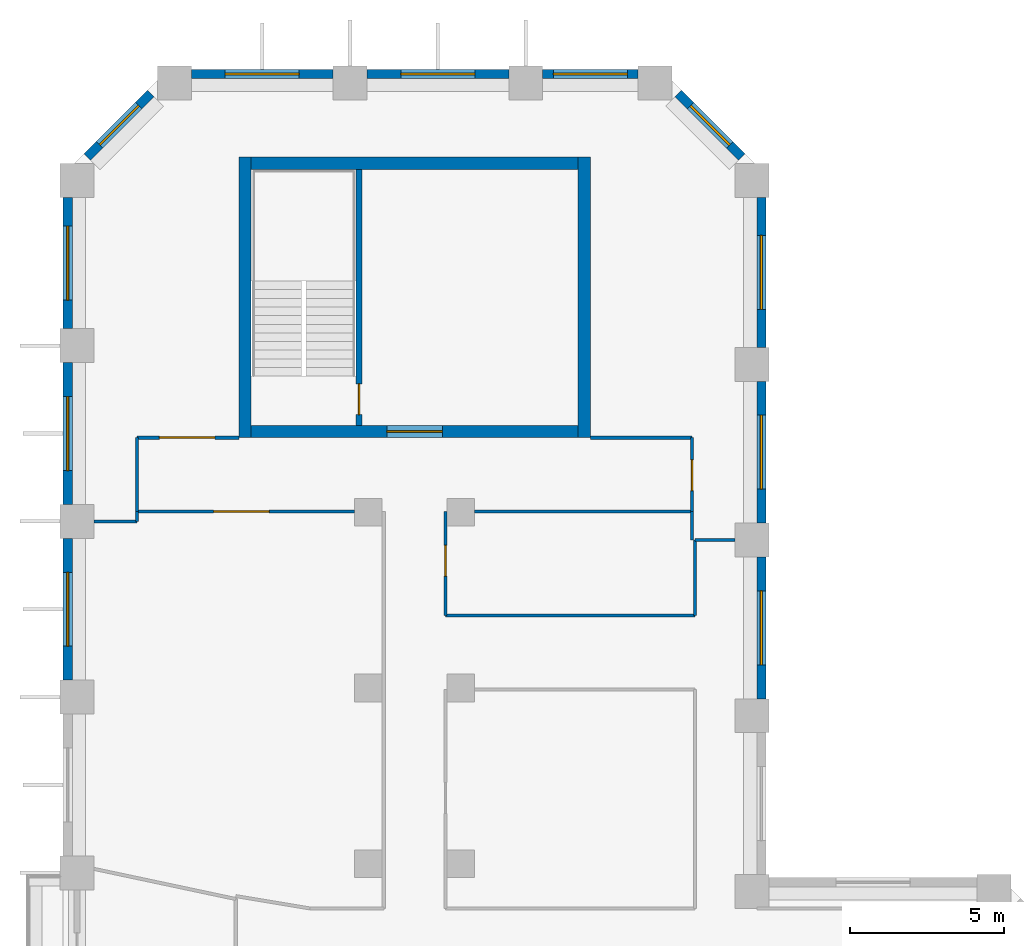
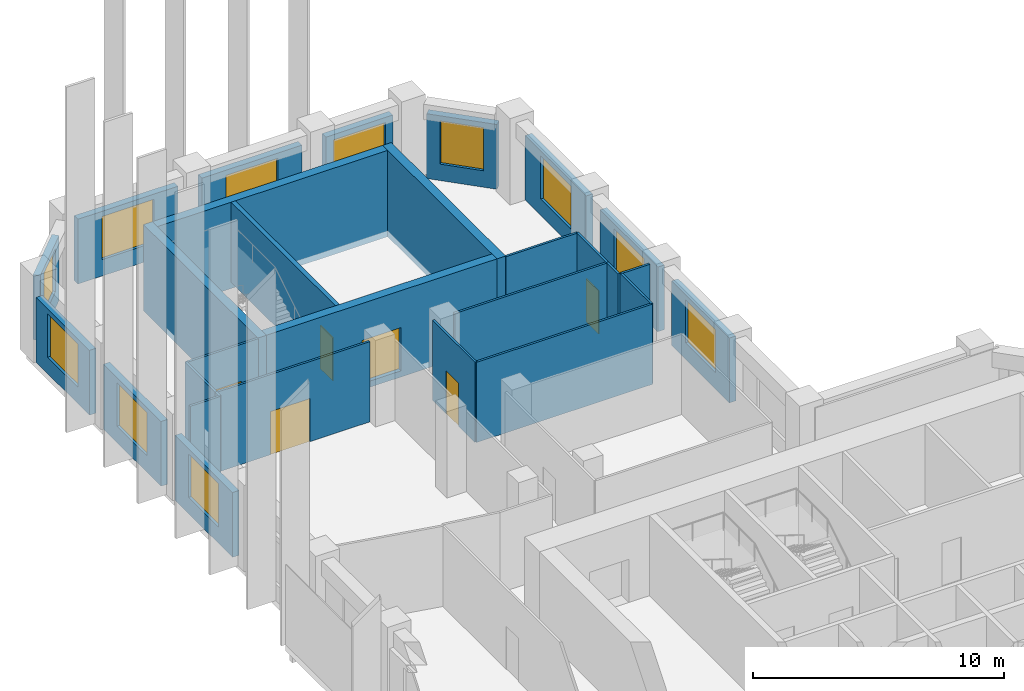
# One storey, part 8 of 10: 29 walls, 11 windows, 6 doors, 17 openings.
"""IFC4 building model written with IfcOpenShell, lengths in metres."""

from ifc_helpers import new_model, si_unit, direction, frame, frame_2d, origin, place, context, subcontext, project, spatial, rectangle, extrude, material, layer, layer_set, type_object, element, fill, save


model = new_model("IFC4")

# Units and contexts
model_context = context("Model", 3, precision=1e-05, world=origin(), true_north=direction((0.0, 1.0)))
body_context = subcontext(model_context, "Body", "Model", "MODEL_VIEW")
ifc_project = project(units=[si_unit("LENGTHUNIT", "METRE"), si_unit("AREAUNIT", "SQUARE_METRE"), si_unit("VOLUMEUNIT", "CUBIC_METRE"), si_unit("PLANEANGLEUNIT", "RADIAN"), si_unit("MASSUNIT", "GRAM", prefix="KILO")], contexts=[model_context])

# Site, building, storey
site_placement = place(None, origin())
site = spatial("IfcSite", under=ifc_project, at=site_placement, CompositionType="ELEMENT")
building_placement = place(site_placement, origin())
building = spatial("IfcBuilding", under=site, at=building_placement, Name="Meshkara Civic Tower", CompositionType="ELEMENT")
storey_placement = place(building_placement, frame((0.0, 0.0, 259.199951171875)))
storey = spatial("IfcBuildingStorey", under=building, at=storey_placement, Name="L59", CompositionType="ELEMENT", Elevation=259.199951171875)

# Wall, opening, door
ifc_material_1 = material(Name="Corridor wall 100")
ifc_layer_1 = layer(ifc_material_1, 0.10009765625)
ifc_layer_set_1 = layer_set([ifc_layer_1], Name="Corridor wall 100")
wall_type_1 = type_object("IfcWallType", Name="Corridor wall 100", PredefinedType="PARTITIONING", material=ifc_layer_set_1)
wall_1_placement = place(storey_placement, frame((2.39990234375, 51.77001953125, 0.0), z_axis=(0.0, 0.0, 1.0), x_axis=(1.0, 0.0, 0.0)))
wall_1 = element("IfcWall", 1, at=wall_1_placement, inside=storey, type_object=wall_type_1, Name="L59-W001", PredefinedType="PARTITIONING", context=body_context, shape_type="SweptSolid", body=[
    extrude(rectangle(XDim=7.050048828125, YDim=0.10009765625, at=frame_2d((3.52490234375, 0.0))), origin(), (0.0, 0.0, 1.0), 3.900146484375),
])
opening_1_placement = place(wall_1_placement, frame((2.47998046875, 0.0, 0.0)))
opening_1 = element("IfcOpeningElement", 2, at=opening_1_placement, cuts=wall_1, Name="Opening L59-D016", PredefinedType="OPENING", context=body_context, shape_type="SweptSolid", body=[
    extrude(rectangle(XDim=1.800048828125, YDim=2.10009765625, at=frame_2d((0.89990234375, 1.050048828125))), frame((0.0, 0.06005859375, 0.0), z_axis=(0.0, -1.0, 0.0), x_axis=(1.0, 0.0, 0.0)), (0.0, 0.0, 1.0), 0.1201171875),
])
ifc_material_2 = material(Name="Door pair 1800 x 2100")
door_type_1 = type_object("IfcDoorType", Name="Door pair 1800 x 2100", OperationType="SINGLE_SWING_LEFT", PredefinedType="DOOR", material=ifc_material_2)
door_1_placement = place(opening_1_placement, origin())
door_1 = element("IfcDoor", 3, at=door_1_placement, inside=storey, type_object=door_type_1, Name="L59-D016", OperationType="DOUBLE_DOOR_SINGLE_SWING", OverallHeight=2.10009765625, OverallWidth=1.800048828125, PredefinedType="DOOR", context=body_context, shape_type="SweptSolid", body=[
    extrude(rectangle(XDim=1.800048828125, YDim=2.10009765625, at=frame_2d((0.89990234375, 1.050048828125))), frame((0.0, 0.02490234375, 0.0), z_axis=(0.0, -1.0, 0.0), x_axis=(1.0, 0.0, 0.0)), (0.0, 0.0, 1.0), 0.050048828125),
])
fill(opening_1, door_1)

# Wall
wall_2_placement = place(storey_placement, frame((2.39990234375, 54.169921875, 0.0), z_axis=(0.0, 0.0, 1.0), x_axis=(0.0, -1.0, 0.0)))
element("IfcWall", 4, at=wall_2_placement, inside=storey, type_object=wall_type_1, Name="L59-W002", PredefinedType="PARTITIONING", context=body_context, shape_type="SweptSolid", body=[
    extrude(rectangle(XDim=2.39990234375, YDim=0.10009765625, at=frame_2d((1.199951171875, 0.0))), origin(), (0.0, 0.0, 1.0), 3.900146484375),
])

# Wall, opening, door
wall_3_placement = place(storey_placement, frame((5.699951171875, 54.169921875, 0.0), z_axis=(0.0, 0.0, 1.0), x_axis=(-1.0, 0.0, 0.0)))
wall_3 = element("IfcWall", 5, at=wall_3_placement, inside=storey, type_object=wall_type_1, Name="L59-W005", PredefinedType="PARTITIONING", context=body_context, shape_type="SweptSolid", body=[
    extrude(rectangle(XDim=3.300048828125, YDim=0.10009765625, at=frame_2d((1.64990234375, 0.0))), origin(), (0.0, 0.0, 1.0), 3.900146484375),
])
opening_2_placement = place(wall_3_placement, frame((0.780029296875, 0.0, 0.0)))
opening_2 = element("IfcOpeningElement", 6, at=opening_2_placement, cuts=wall_3, Name="Opening L59-D019", PredefinedType="OPENING", context=body_context, shape_type="SweptSolid", body=[
    extrude(rectangle(XDim=1.800048828125, YDim=2.10009765625, at=frame_2d((0.89990234375, 1.050048828125))), frame((0.0, 0.06005859375, 0.0), z_axis=(0.0, -1.0, 0.0), x_axis=(1.0, 0.0, 0.0)), (0.0, 0.0, 1.0), 0.1201171875),
])
door_2_placement = place(opening_2_placement, origin())
door_2 = element("IfcDoor", 7, at=door_2_placement, inside=storey, type_object=door_type_1, Name="L59-D019", OperationType="DOUBLE_DOOR_SINGLE_SWING", OverallHeight=2.10009765625, OverallWidth=1.800048828125, PredefinedType="DOOR", context=body_context, shape_type="SweptSolid", body=[
    extrude(rectangle(XDim=1.800048828125, YDim=2.10009765625, at=frame_2d((0.89990234375, 1.050048828125))), frame((0.0, 0.02490234375, 0.0), z_axis=(0.0, -1.0, 0.0), x_axis=(1.0, 0.0, 0.0)), (0.0, 0.0, 1.0), 0.050048828125),
])
fill(opening_2, door_2)

wall_4_placement = place(storey_placement, frame((12.39990234375, 48.39990234375, 0.0), z_axis=(0.0, 0.0, 1.0), x_axis=(0.0, 1.0, 0.0)))
wall_4 = element("IfcWall", 8, at=wall_4_placement, inside=storey, type_object=wall_type_1, Name="L59-W015", PredefinedType="PARTITIONING", context=body_context, shape_type="SweptSolid", body=[
    extrude(rectangle(XDim=3.3701171875, YDim=0.10009765625, at=frame_2d((1.68505859375, 0.0))), origin(), (0.0, 0.0, 1.0), 3.900146484375),
])
opening_3_placement = place(wall_4_placement, frame((1.280029296875, 0.0, 0.0)))
opening_3 = element("IfcOpeningElement", 9, at=opening_3_placement, cuts=wall_4, Name="Opening L59-D017", PredefinedType="OPENING", context=body_context, shape_type="SweptSolid", body=[
    extrude(rectangle(XDim=1.0, YDim=2.10009765625, at=frame_2d((0.5, 1.050048828125))), frame((0.0, 0.06005859375, 0.0), z_axis=(0.0, -1.0, 0.0), x_axis=(1.0, 0.0, 0.0)), (0.0, 0.0, 1.0), 0.1201171875),
])
ifc_material_3 = material(Name="Door 1000 x 2100")
door_type_2 = type_object("IfcDoorType", Name="Door 1000 x 2100", OperationType="SINGLE_SWING_LEFT", PredefinedType="DOOR", material=ifc_material_3)
door_3_placement = place(opening_3_placement, origin())
door_3 = element("IfcDoor", 10, at=door_3_placement, inside=storey, type_object=door_type_2, Name="L59-D017", OperationType="SINGLE_SWING_LEFT", OverallHeight=2.10009765625, OverallWidth=1.0, PredefinedType="DOOR", context=body_context, shape_type="SweptSolid", body=[
    extrude(rectangle(XDim=1.0, YDim=2.10009765625, at=frame_2d((0.5, 1.050048828125))), frame((0.0, 0.02490234375, 0.0), z_axis=(0.0, -1.0, 0.0), x_axis=(1.0, 0.0, 0.0)), (0.0, 0.0, 1.0), 0.050048828125),
])
fill(opening_3, door_3)

# Wall
wall_5_placement = place(storey_placement, frame((13.35009765625, 51.77001953125, 0.0), z_axis=(0.0, 0.0, 1.0), x_axis=(1.0, 0.0, 0.0)))
element("IfcWall", 11, at=wall_5_placement, inside=storey, type_object=wall_type_1, Name="L59-W018", PredefinedType="PARTITIONING", context=body_context, shape_type="SweptSolid", body=[
    extrude(rectangle(XDim=7.0498046875, YDim=0.10009765625, at=frame_2d((3.52490234375, 0.0))), origin(), (0.0, 0.0, 1.0), 3.900146484375),
])

# Wall, opening, door
wall_6_placement = place(storey_placement, frame((20.39990234375, 51.77001953125, 0.0), z_axis=(0.0, 0.0, 1.0), x_axis=(0.0, 1.0, 0.0)))
wall_6 = element("IfcWall", 12, at=wall_6_placement, inside=storey, type_object=wall_type_1, Name="L59-W019", PredefinedType="PARTITIONING", context=body_context, shape_type="SweptSolid", body=[
    extrude(rectangle(XDim=2.39990234375, YDim=0.10009765625, at=frame_2d((1.199951171875, 0.0))), origin(), (0.0, 0.0, 1.0), 3.900146484375),
])
opening_4_placement = place(wall_6_placement, frame((0.679931640625, 0.0, 0.0)))
opening_4 = element("IfcOpeningElement", 13, at=opening_4_placement, cuts=wall_6, Name="Opening L59-D018", PredefinedType="OPENING", context=body_context, shape_type="SweptSolid", body=[
    extrude(rectangle(XDim=1.0, YDim=2.10009765625, at=frame_2d((0.5, 1.050048828125))), frame((0.0, 0.06005859375, 0.0), z_axis=(0.0, -1.0, 0.0), x_axis=(1.0, 0.0, 0.0)), (0.0, 0.0, 1.0), 0.1201171875),
])
door_4_placement = place(opening_4_placement, origin())
door_4 = element("IfcDoor", 14, at=door_4_placement, inside=storey, type_object=door_type_2, Name="L59-D018", OperationType="SINGLE_SWING_RIGHT", OverallHeight=2.10009765625, OverallWidth=1.0, PredefinedType="DOOR", context=body_context, shape_type="SweptSolid", body=[
    extrude(rectangle(XDim=1.0, YDim=2.10009765625, at=frame_2d((0.5, 1.050048828125))), frame((0.0, 0.02490234375, 0.0), z_axis=(0.0, -1.0, 0.0), x_axis=(1.0, 0.0, 0.0)), (0.0, 0.0, 1.0), 0.050048828125),
])
fill(opening_4, door_4)

# Walls
wall_7_placement = place(storey_placement, frame((20.39990234375, 54.169921875, 0.0), z_axis=(0.0, 0.0, 1.0), x_axis=(-1.0, 0.0, 0.0)))
element("IfcWall", 15, at=wall_7_placement, inside=storey, type_object=wall_type_1, Name="L59-W020", PredefinedType="PARTITIONING", context=body_context, shape_type="SweptSolid", body=[
    extrude(rectangle(XDim=3.2998046875, YDim=0.10009765625, at=frame_2d((1.64990234375, 0.0))), origin(), (0.0, 0.0, 1.0), 3.900146484375),
])
wall_8_placement = place(storey_placement, frame((20.5, 48.39990234375, 0.0), z_axis=(0.0, 0.0, 1.0), x_axis=(-1.0, 0.0, 0.0)))
element("IfcWall", 16, at=wall_8_placement, inside=storey, type_object=wall_type_1, Name="L59-W023", PredefinedType="PARTITIONING", context=body_context, shape_type="SweptSolid", body=[
    extrude(rectangle(XDim=8.10009765625, YDim=0.10009765625, at=frame_2d((4.050048828125, 0.0))), origin(), (0.0, 0.0, 1.0), 3.900146484375),
])
wall_9_placement = place(storey_placement, frame((20.5, 50.85009765625, 0.0), z_axis=(0.0, 0.0, 1.0), x_axis=(0.0, -1.0, 0.0)))
element("IfcWall", 17, at=wall_9_placement, inside=storey, type_object=wall_type_1, Name="L59-W024", PredefinedType="PARTITIONING", context=body_context, shape_type="SweptSolid", body=[
    extrude(rectangle(XDim=2.4501953125, YDim=0.10009765625, at=frame_2d((1.22509765625, 0.0))), origin(), (0.0, 0.0, 1.0), 3.900146484375),
])
wall_10_placement = place(storey_placement, frame((21.800048828125, 50.85009765625, 0.0), z_axis=(0.0, 0.0, 1.0), x_axis=(-1.0, 0.0, 0.0)))
element("IfcWall", 18, at=wall_10_placement, inside=storey, type_object=wall_type_1, Name="L59-W025", PredefinedType="PARTITIONING", context=body_context, shape_type="SweptSolid", body=[
    extrude(rectangle(XDim=1.300048828125, YDim=0.10009765625, at=frame_2d((0.64990234375, 0.0))), origin(), (0.0, 0.0, 1.0), 3.900146484375),
])

# Wall, opening, window
ifc_material_4 = material(Name="Insulated infill panel with bronze anodised aluminium cladding", Category="aluminium")
ifc_layer_2 = layer(ifc_material_4, 0.300048828125)
ifc_layer_set_2 = layer_set([ifc_layer_2], Name="EXTERNAL INFILL WALL 300")
wall_type_2 = type_object("IfcWallType", Name="EXTERNAL INFILL WALL 300", PredefinedType="SOLIDWALL", material=ifc_layer_set_2)
wall_11_placement = place(storey_placement, frame((22.64990234375, 45.699951171875, 0.0), z_axis=(0.0, 0.0, 1.0), x_axis=(0.0, 1.0, 0.0)))
wall_11 = element("IfcWall", 19, at=wall_11_placement, inside=storey, type_object=wall_type_2, Name="External wall", PredefinedType="SOLIDWALL", context=body_context, shape_type="SweptSolid", body=[
    extrude(rectangle(XDim=4.60009765625, YDim=0.300048828125, at=frame_2d((2.300048828125, 0.0))), origin(), (0.0, 0.0, 1.0), 3.150146484375),
])
opening_5_placement = place(wall_11_placement, frame((1.10009765625, 0.0, 0.800048828125)))
opening_5 = element("IfcOpeningElement", 20, at=opening_5_placement, cuts=wall_11, Name="Opening W7", PredefinedType="OPENING", context=body_context, shape_type="SweptSolid", body=[
    extrude(rectangle(XDim=2.39990234375, YDim=2.10009765625, at=frame_2d((1.199951171875, 1.050048828125))), frame((0.0, 0.159912109375, 0.0), z_axis=(0.0, -1.0, 0.0), x_axis=(1.0, 0.0, 0.0)), (0.0, 0.0, 1.0), 0.320068359375),
])
ifc_material_5 = material(Name="Tinted double glazing", Category="glass")
window_type_1 = type_object("IfcWindowType", Name="WINDOW 2400x2100", PartitioningType="DOUBLE_PANEL_VERTICAL", PredefinedType="WINDOW", material=ifc_material_5)
window_1_placement = place(opening_5_placement, origin())
window_1 = element("IfcWindow", 21, at=window_1_placement, inside=storey, type_object=window_type_1, Name="Window", OverallHeight=2.10009765625, OverallWidth=2.39990234375, PartitioningType="DOUBLE_PANEL_VERTICAL", PredefinedType="WINDOW", context=body_context, shape_type="SweptSolid", body=[
    extrude(rectangle(XDim=2.39990234375, YDim=2.10009765625, at=frame_2d((1.199951171875, 1.050048828125))), frame((0.0, 0.030029296875, 0.0), z_axis=(0.0, -1.0, 0.0), x_axis=(1.0, 0.0, 0.0)), (0.0, 0.0, 1.0), 0.06005859375),
])
fill(opening_5, window_1)

wall_12_placement = place(storey_placement, frame((22.64990234375, 51.39990234375, 0.0), z_axis=(0.0, 0.0, 1.0), x_axis=(0.0, 1.0, 0.0)))
wall_12 = element("IfcWall", 22, at=wall_12_placement, inside=storey, type_object=wall_type_2, Name="External wall", PredefinedType="SOLIDWALL", context=body_context, shape_type="SweptSolid", body=[
    extrude(rectangle(XDim=4.60009765625, YDim=0.300048828125, at=frame_2d((2.300048828125, 0.0))), origin(), (0.0, 0.0, 1.0), 3.150146484375),
])
opening_6_placement = place(wall_12_placement, frame((1.10009765625, 0.0, 0.800048828125)))
opening_6 = element("IfcOpeningElement", 23, at=opening_6_placement, cuts=wall_12, Name="Opening W7", PredefinedType="OPENING", context=body_context, shape_type="SweptSolid", body=[
    extrude(rectangle(XDim=2.39990234375, YDim=2.10009765625, at=frame_2d((1.199951171875, 1.050048828125))), frame((0.0, 0.159912109375, 0.0), z_axis=(0.0, -1.0, 0.0), x_axis=(1.0, 0.0, 0.0)), (0.0, 0.0, 1.0), 0.320068359375),
])
window_2_placement = place(opening_6_placement, origin())
window_2 = element("IfcWindow", 24, at=window_2_placement, inside=storey, type_object=window_type_1, Name="Window", OverallHeight=2.10009765625, OverallWidth=2.39990234375, PartitioningType="DOUBLE_PANEL_VERTICAL", PredefinedType="WINDOW", context=body_context, shape_type="SweptSolid", body=[
    extrude(rectangle(XDim=2.39990234375, YDim=2.10009765625, at=frame_2d((1.199951171875, 1.050048828125))), frame((0.0, 0.030029296875, 0.0), z_axis=(0.0, -1.0, 0.0), x_axis=(1.0, 0.0, 0.0)), (0.0, 0.0, 1.0), 0.06005859375),
])
fill(opening_6, window_2)

wall_13_placement = place(storey_placement, frame((22.64990234375, 57.10009765625, 0.0), z_axis=(0.0, 0.0, 1.0), x_axis=(0.0, 1.0, 0.0)))
wall_13 = element("IfcWall", 25, at=wall_13_placement, inside=storey, type_object=wall_type_2, Name="External wall", PredefinedType="SOLIDWALL", context=body_context, shape_type="SweptSolid", body=[
    extrude(rectangle(XDim=4.864013671875, YDim=0.300048828125, at=frame_2d((2.43212890625, 0.0))), origin(), (0.0, 0.0, 1.0), 3.150146484375),
])
opening_7_placement = place(wall_13_placement, frame((1.23193359375, 0.0, 0.800048828125)))
opening_7 = element("IfcOpeningElement", 26, at=opening_7_placement, cuts=wall_13, Name="Opening W7", PredefinedType="OPENING", context=body_context, shape_type="SweptSolid", body=[
    extrude(rectangle(XDim=2.39990234375, YDim=2.10009765625, at=frame_2d((1.199951171875, 1.050048828125))), frame((0.0, 0.159912109375, 0.0), z_axis=(0.0, -1.0, 0.0), x_axis=(1.0, 0.0, 0.0)), (0.0, 0.0, 1.0), 0.320068359375),
])
window_3_placement = place(opening_7_placement, origin())
window_3 = element("IfcWindow", 27, at=window_3_placement, inside=storey, type_object=window_type_1, Name="Window", OverallHeight=2.10009765625, OverallWidth=2.39990234375, PartitioningType="DOUBLE_PANEL_VERTICAL", PredefinedType="WINDOW", context=body_context, shape_type="SweptSolid", body=[
    extrude(rectangle(XDim=2.39990234375, YDim=2.10009765625, at=frame_2d((1.199951171875, 1.050048828125))), frame((0.0, 0.030029296875, 0.0), z_axis=(0.0, -1.0, 0.0), x_axis=(1.0, 0.0, 0.0)), (0.0, 0.0, 1.0), 0.06005859375),
])
fill(opening_7, window_3)

wall_14_placement = place(storey_placement, frame((22.011962890625, 63.27587890625, 0.0), z_axis=(0.0, 0.0, 1.0), x_axis=(-0.707064797706, 0.707148762175, 0.0)))
wall_14 = element("IfcWall", 28, at=wall_14_placement, inside=storey, type_object=wall_type_2, Name="External wall", PredefinedType="SOLIDWALL", context=body_context, shape_type="SweptSolid", body=[
    extrude(rectangle(XDim=2.90771484375, YDim=0.300048828125, at=frame_2d((1.453857421875, 0.0))), origin(), (0.0, 0.0, 1.0), 3.150146484375),
])
opening_8_placement = place(wall_14_placement, frame((0.553955078125, 0.0, 0.800048828125)))
opening_8 = element("IfcOpeningElement", 29, at=opening_8_placement, cuts=wall_14, Name="Opening W9", PredefinedType="OPENING", context=body_context, shape_type="SweptSolid", body=[
    extrude(rectangle(XDim=1.800048828125, YDim=2.10009765625, at=frame_2d((0.89990234375, 1.050048828125))), frame((0.0, 0.159912109375, 0.0), z_axis=(0.0, -1.0, 0.0), x_axis=(1.0, 0.0, 0.0)), (0.0, 0.0, 1.0), 0.320068359375),
])
ifc_material_6 = material(Name="Tinted double glazing", Category="glass")
window_type_2 = type_object("IfcWindowType", Name="WINDOW 1800x2100", PartitioningType="DOUBLE_PANEL_VERTICAL", PredefinedType="WINDOW", material=ifc_material_6)
window_4_placement = place(opening_8_placement, origin())
window_4 = element("IfcWindow", 30, at=window_4_placement, inside=storey, type_object=window_type_2, Name="Window", OverallHeight=2.10009765625, OverallWidth=1.800048828125, PartitioningType="DOUBLE_PANEL_VERTICAL", PredefinedType="WINDOW", context=body_context, shape_type="SweptSolid", body=[
    extrude(rectangle(XDim=1.800048828125, YDim=2.10009765625, at=frame_2d((0.89990234375, 1.050048828125))), frame((0.0, 0.030029296875, 0.0), z_axis=(0.0, -1.0, 0.0), x_axis=(1.0, 0.0, 0.0)), (0.0, 0.0, 1.0), 0.06005859375),
])
fill(opening_8, window_4)

wall_15_placement = place(storey_placement, frame((18.64404296875, 65.969970703125, 0.0), z_axis=(0.0, 0.0, 1.0), x_axis=(-1.0, 0.0, 0.0)))
wall_15 = element("IfcWall", 31, at=wall_15_placement, inside=storey, type_object=wall_type_2, Name="External wall", PredefinedType="SOLIDWALL", context=body_context, shape_type="SweptSolid", body=[
    extrude(rectangle(XDim=3.088134765625, YDim=0.300048828125, at=frame_2d((1.5439453125, 0.0))), origin(), (0.0, 0.0, 1.0), 3.150146484375),
])
opening_9_placement = place(wall_15_placement, frame((0.343994140625, 0.0, 0.800048828125)))
opening_9 = element("IfcOpeningElement", 32, at=opening_9_placement, cuts=wall_15, Name="Opening W7", PredefinedType="OPENING", context=body_context, shape_type="SweptSolid", body=[
    extrude(rectangle(XDim=2.39990234375, YDim=2.10009765625, at=frame_2d((1.199951171875, 1.050048828125))), frame((0.0, 0.159912109375, 0.0), z_axis=(0.0, -1.0, 0.0), x_axis=(1.0, 0.0, 0.0)), (0.0, 0.0, 1.0), 0.320068359375),
])
window_5_placement = place(opening_9_placement, origin())
window_5 = element("IfcWindow", 33, at=window_5_placement, inside=storey, type_object=window_type_1, Name="Window", OverallHeight=2.10009765625, OverallWidth=2.39990234375, PartitioningType="DOUBLE_PANEL_VERTICAL", PredefinedType="WINDOW", context=body_context, shape_type="SweptSolid", body=[
    extrude(rectangle(XDim=2.39990234375, YDim=2.10009765625, at=frame_2d((1.199951171875, 1.050048828125))), frame((0.0, 0.030029296875, 0.0), z_axis=(0.0, -1.0, 0.0), x_axis=(1.0, 0.0, 0.0)), (0.0, 0.0, 1.0), 0.06005859375),
])
fill(opening_9, window_5)

wall_16_placement = place(storey_placement, frame((14.4560546875, 65.969970703125, 0.0), z_axis=(0.0, 0.0, 1.0), x_axis=(-1.0, 0.0, 0.0)))
wall_16 = element("IfcWall", 34, at=wall_16_placement, inside=storey, type_object=wall_type_2, Name="External wall", PredefinedType="SOLIDWALL", context=body_context, shape_type="SweptSolid", body=[
    extrude(rectangle(XDim=4.60009765625, YDim=0.300048828125, at=frame_2d((2.300048828125, 0.0))), origin(), (0.0, 0.0, 1.0), 3.150146484375),
])
opening_10_placement = place(wall_16_placement, frame((1.10009765625, 0.0, 0.800048828125)))
opening_10 = element("IfcOpeningElement", 35, at=opening_10_placement, cuts=wall_16, Name="Opening W7", PredefinedType="OPENING", context=body_context, shape_type="SweptSolid", body=[
    extrude(rectangle(XDim=2.39990234375, YDim=2.10009765625, at=frame_2d((1.199951171875, 1.050048828125))), frame((0.0, 0.159912109375, 0.0), z_axis=(0.0, -1.0, 0.0), x_axis=(1.0, 0.0, 0.0)), (0.0, 0.0, 1.0), 0.320068359375),
])
window_6_placement = place(opening_10_placement, origin())
window_6 = element("IfcWindow", 36, at=window_6_placement, inside=storey, type_object=window_type_1, Name="Window", OverallHeight=2.10009765625, OverallWidth=2.39990234375, PartitioningType="DOUBLE_PANEL_VERTICAL", PredefinedType="WINDOW", context=body_context, shape_type="SweptSolid", body=[
    extrude(rectangle(XDim=2.39990234375, YDim=2.10009765625, at=frame_2d((1.199951171875, 1.050048828125))), frame((0.0, 0.030029296875, 0.0), z_axis=(0.0, -1.0, 0.0), x_axis=(1.0, 0.0, 0.0)), (0.0, 0.0, 1.0), 0.06005859375),
])
fill(opening_10, window_6)

wall_17_placement = place(storey_placement, frame((8.756103515625, 65.969970703125, 0.0), z_axis=(0.0, 0.0, 1.0), x_axis=(-1.0, 0.0, 0.0)))
wall_17 = element("IfcWall", 37, at=wall_17_placement, inside=storey, type_object=wall_type_2, Name="External wall", PredefinedType="SOLIDWALL", context=body_context, shape_type="SweptSolid", body=[
    extrude(rectangle(XDim=4.60009765625, YDim=0.300048828125, at=frame_2d((2.300048828125, 0.0))), origin(), (0.0, 0.0, 1.0), 3.150146484375),
])
opening_11_placement = place(wall_17_placement, frame((1.10009765625, 0.0, 0.800048828125)))
opening_11 = element("IfcOpeningElement", 38, at=opening_11_placement, cuts=wall_17, Name="Opening W7", PredefinedType="OPENING", context=body_context, shape_type="SweptSolid", body=[
    extrude(rectangle(XDim=2.39990234375, YDim=2.10009765625, at=frame_2d((1.199951171875, 1.050048828125))), frame((0.0, 0.159912109375, 0.0), z_axis=(0.0, -1.0, 0.0), x_axis=(1.0, 0.0, 0.0)), (0.0, 0.0, 1.0), 0.320068359375),
])
window_7_placement = place(opening_11_placement, origin())
window_7 = element("IfcWindow", 39, at=window_7_placement, inside=storey, type_object=window_type_1, Name="Window", OverallHeight=2.10009765625, OverallWidth=2.39990234375, PartitioningType="DOUBLE_PANEL_VERTICAL", PredefinedType="WINDOW", context=body_context, shape_type="SweptSolid", body=[
    extrude(rectangle(XDim=2.39990234375, YDim=2.10009765625, at=frame_2d((1.199951171875, 1.050048828125))), frame((0.0, 0.030029296875, 0.0), z_axis=(0.0, -1.0, 0.0), x_axis=(1.0, 0.0, 0.0)), (0.0, 0.0, 1.0), 0.06005859375),
])
fill(opening_11, window_7)

wall_18_placement = place(storey_placement, frame((2.843994140625, 65.33203125, 0.0), z_axis=(0.0, 0.0, 1.0), x_axis=(-0.707064797706, -0.707148762175, 0.0)))
wall_18 = element("IfcWall", 40, at=wall_18_placement, inside=storey, type_object=wall_type_2, Name="External wall", PredefinedType="SOLIDWALL", context=body_context, shape_type="SweptSolid", body=[
    extrude(rectangle(XDim=2.90771484375, YDim=0.300048828125, at=frame_2d((1.453857421875, 0.0))), origin(), (0.0, 0.0, 1.0), 3.150146484375),
])
opening_12_placement = place(wall_18_placement, frame((0.553955078125, 0.0, 0.800048828125)))
opening_12 = element("IfcOpeningElement", 41, at=opening_12_placement, cuts=wall_18, Name="Opening W9", PredefinedType="OPENING", context=body_context, shape_type="SweptSolid", body=[
    extrude(rectangle(XDim=1.800048828125, YDim=2.10009765625, at=frame_2d((0.89990234375, 1.050048828125))), frame((0.0, 0.159912109375, 0.0), z_axis=(0.0, -1.0, 0.0), x_axis=(1.0, 0.0, 0.0)), (0.0, 0.0, 1.0), 0.320068359375),
])
window_8_placement = place(opening_12_placement, origin())
window_8 = element("IfcWindow", 42, at=window_8_placement, inside=storey, type_object=window_type_2, Name="Window", OverallHeight=2.10009765625, OverallWidth=1.800048828125, PartitioningType="DOUBLE_PANEL_VERTICAL", PredefinedType="WINDOW", context=body_context, shape_type="SweptSolid", body=[
    extrude(rectangle(XDim=1.800048828125, YDim=2.10009765625, at=frame_2d((0.89990234375, 1.050048828125))), frame((0.0, 0.030029296875, 0.0), z_axis=(0.0, -1.0, 0.0), x_axis=(1.0, 0.0, 0.0)), (0.0, 0.0, 1.0), 0.06005859375),
])
fill(opening_12, window_8)

wall_19_placement = place(storey_placement, frame((0.14990234375, 61.964111328125, 0.0), z_axis=(0.0, 0.0, 1.0), x_axis=(0.0, -1.0, 0.0)))
wall_19 = element("IfcWall", 43, at=wall_19_placement, inside=storey, type_object=wall_type_2, Name="External wall", PredefinedType="SOLIDWALL", context=body_context, shape_type="SweptSolid", body=[
    extrude(rectangle(XDim=4.259033203125, YDim=0.300048828125, at=frame_2d((2.12939453125, 0.0))), origin(), (0.0, 0.0, 1.0), 3.150146484375),
])
opening_13_placement = place(wall_19_placement, frame((0.929931640625, 0.0, 0.800048828125)))
opening_13 = element("IfcOpeningElement", 44, at=opening_13_placement, cuts=wall_19, Name="Opening W7", PredefinedType="OPENING", context=body_context, shape_type="SweptSolid", body=[
    extrude(rectangle(XDim=2.39990234375, YDim=2.10009765625, at=frame_2d((1.199951171875, 1.050048828125))), frame((0.0, 0.159912109375, 0.0), z_axis=(0.0, -1.0, 0.0), x_axis=(1.0, 0.0, 0.0)), (0.0, 0.0, 1.0), 0.320068359375),
])
window_9_placement = place(opening_13_placement, origin())
window_9 = element("IfcWindow", 45, at=window_9_placement, inside=storey, type_object=window_type_1, Name="Window", OverallHeight=2.10009765625, OverallWidth=2.39990234375, PartitioningType="DOUBLE_PANEL_VERTICAL", PredefinedType="WINDOW", context=body_context, shape_type="SweptSolid", body=[
    extrude(rectangle(XDim=2.39990234375, YDim=2.10009765625, at=frame_2d((1.199951171875, 1.050048828125))), frame((0.0, 0.030029296875, 0.0), z_axis=(0.0, -1.0, 0.0), x_axis=(1.0, 0.0, 0.0)), (0.0, 0.0, 1.0), 0.06005859375),
])
fill(opening_13, window_9)

wall_20_placement = place(storey_placement, frame((0.14990234375, 56.60498046875, 0.0), z_axis=(0.0, 0.0, 1.0), x_axis=(0.0, -1.0, 0.0)))
wall_20 = element("IfcWall", 46, at=wall_20_placement, inside=storey, type_object=wall_type_2, Name="External wall", PredefinedType="SOLIDWALL", context=body_context, shape_type="SweptSolid", body=[
    extrude(rectangle(XDim=4.60009765625, YDim=0.300048828125, at=frame_2d((2.300048828125, 0.0))), origin(), (0.0, 0.0, 1.0), 3.150146484375),
])
opening_14_placement = place(wall_20_placement, frame((1.10009765625, 0.0, 0.800048828125)))
opening_14 = element("IfcOpeningElement", 47, at=opening_14_placement, cuts=wall_20, Name="Opening W7", PredefinedType="OPENING", context=body_context, shape_type="SweptSolid", body=[
    extrude(rectangle(XDim=2.39990234375, YDim=2.10009765625, at=frame_2d((1.199951171875, 1.050048828125))), frame((0.0, 0.159912109375, 0.0), z_axis=(0.0, -1.0, 0.0), x_axis=(1.0, 0.0, 0.0)), (0.0, 0.0, 1.0), 0.320068359375),
])
window_10_placement = place(opening_14_placement, origin())
window_10 = element("IfcWindow", 48, at=window_10_placement, inside=storey, type_object=window_type_1, Name="Window", OverallHeight=2.10009765625, OverallWidth=2.39990234375, PartitioningType="DOUBLE_PANEL_VERTICAL", PredefinedType="WINDOW", context=body_context, shape_type="SweptSolid", body=[
    extrude(rectangle(XDim=2.39990234375, YDim=2.10009765625, at=frame_2d((1.199951171875, 1.050048828125))), frame((0.0, 0.030029296875, 0.0), z_axis=(0.0, -1.0, 0.0), x_axis=(1.0, 0.0, 0.0)), (0.0, 0.0, 1.0), 0.06005859375),
])
fill(opening_14, window_10)

wall_21_placement = place(storey_placement, frame((0.14990234375, 50.905029296875, 0.0), z_axis=(0.0, 0.0, 1.0), x_axis=(0.0, -1.0, 0.0)))
wall_21 = element("IfcWall", 49, at=wall_21_placement, inside=storey, type_object=wall_type_2, Name="External wall", PredefinedType="SOLIDWALL", context=body_context, shape_type="SweptSolid", body=[
    extrude(rectangle(XDim=4.60009765625, YDim=0.300048828125, at=frame_2d((2.300048828125, 0.0))), origin(), (0.0, 0.0, 1.0), 3.150146484375),
])
opening_15_placement = place(wall_21_placement, frame((1.10009765625, 0.0, 0.800048828125)))
opening_15 = element("IfcOpeningElement", 50, at=opening_15_placement, cuts=wall_21, Name="Opening W7", PredefinedType="OPENING", context=body_context, shape_type="SweptSolid", body=[
    extrude(rectangle(XDim=2.39990234375, YDim=2.10009765625, at=frame_2d((1.199951171875, 1.050048828125))), frame((0.0, 0.159912109375, 0.0), z_axis=(0.0, -1.0, 0.0), x_axis=(1.0, 0.0, 0.0)), (0.0, 0.0, 1.0), 0.320068359375),
])
window_11_placement = place(opening_15_placement, origin())
window_11 = element("IfcWindow", 51, at=window_11_placement, inside=storey, type_object=window_type_1, Name="Window", OverallHeight=2.10009765625, OverallWidth=2.39990234375, PartitioningType="DOUBLE_PANEL_VERTICAL", PredefinedType="WINDOW", context=body_context, shape_type="SweptSolid", body=[
    extrude(rectangle(XDim=2.39990234375, YDim=2.10009765625, at=frame_2d((1.199951171875, 1.050048828125))), frame((0.0, 0.030029296875, 0.0), z_axis=(0.0, -1.0, 0.0), x_axis=(1.0, 0.0, 0.0)), (0.0, 0.0, 1.0), 0.06005859375),
])
fill(opening_15, window_11)

# Walls
ifc_material_7 = material(Name="Concrete C60", Category="concrete")
ifc_layer_3 = layer(ifc_material_7, 0.39990234375)
ifc_layer_set_3 = layer_set([ifc_layer_3], Name="End core ring wall 400 C60")
wall_type_3 = type_object("IfcWallType", Name="End core ring wall 400 C60", PredefinedType="SHEAR", material=ifc_layer_set_3)
for number, where, z_axis, x_axis, name in (
    (52, (5.89990234375, 54.169921875, -0.300048828125), (0.0, 0.0, 1.0), (0.0, 1.0, 0.0), "L59-C023"),
    (53, (16.89990234375, 54.169921875, -0.300048828125), (0.0, 0.0, 1.0), (0.0, 1.0, 0.0), "L59-C024"),
):
    element("IfcWall", number, at=place(storey_placement, frame(where, z_axis=z_axis, x_axis=x_axis)), inside=storey, type_object=wall_type_3, Name=name, PredefinedType="SHEAR", context=body_context, shape_type="SweptSolid", body=[
        extrude(rectangle(XDim=9.10009765625, YDim=0.39990234375, at=frame_2d((4.550048828125, 0.0))), origin(), (0.0, 0.0, 1.0), 4.2001953125),
    ])

# Wall, opening, door
wall_22_placement = place(storey_placement, frame((6.10009765625, 54.3701171875, -0.300048828125), z_axis=(0.0, 0.0, 1.0), x_axis=(1.0, 0.0, 0.0)))
wall_22 = element("IfcWall", 54, at=wall_22_placement, inside=storey, type_object=wall_type_3, Name="L59-C025", PredefinedType="SHEAR", context=body_context, shape_type="SweptSolid", body=[
    extrude(rectangle(XDim=10.599853515625, YDim=0.39990234375, at=frame_2d((5.2998046875, 0.0))), origin(), (0.0, 0.0, 1.0), 4.2001953125),
])
opening_16_placement = place(wall_22_placement, frame((4.39990234375, 0.0, 0.300048828125)))
opening_16 = element("IfcOpeningElement", 55, at=opening_16_placement, cuts=wall_22, Name="Opening L59-K102", PredefinedType="OPENING", context=body_context, shape_type="SweptSolid", body=[
    extrude(rectangle(XDim=1.800048828125, YDim=2.10009765625, at=frame_2d((0.89990234375, 1.050048828125))), frame((0.0, 0.2099609375, 0.0), z_axis=(0.0, -1.0, 0.0), x_axis=(1.0, 0.0, 0.0)), (0.0, 0.0, 1.0), 0.419921875),
])
ifc_material_8 = material(Name="Fire-rated door leaf in steel frame", Category="steel")
door_type_3 = type_object("IfcDoorType", Name="Core double door 1800 EI 60", OperationType="DOUBLE_DOOR_SINGLE_SWING", PredefinedType="DOOR", material=ifc_material_8)
door_5_placement = place(opening_16_placement, origin())
door_5 = element("IfcDoor", 56, at=door_5_placement, inside=storey, type_object=door_type_3, Name="L59-K102", OperationType="DOUBLE_DOOR_SINGLE_SWING", OverallHeight=2.10009765625, OverallWidth=1.800048828125, PredefinedType="DOOR", context=body_context, shape_type="SweptSolid", body=[
    extrude(rectangle(XDim=1.800048828125, YDim=2.10009765625, at=frame_2d((0.89990234375, 1.050048828125))), frame((0.0, 0.02490234375, 0.0), z_axis=(0.0, -1.0, 0.0), x_axis=(1.0, 0.0, 0.0)), (0.0, 0.0, 1.0), 0.050048828125),
])
fill(opening_16, door_5)

# Walls
wall_23_placement = place(storey_placement, frame((6.10009765625, 63.070068359375, -0.300048828125), z_axis=(0.0, 0.0, 1.0), x_axis=(1.0, 0.0, 0.0)))
element("IfcWall", 57, at=wall_23_placement, inside=storey, type_object=wall_type_3, Name="L59-C026", PredefinedType="SHEAR", context=body_context, shape_type="SweptSolid", body=[
    extrude(rectangle(XDim=10.599853515625, YDim=0.39990234375, at=frame_2d((5.2998046875, 0.0))), origin(), (0.0, 0.0, 1.0), 4.2001953125),
])
ifc_material_9 = material(Name="Partition 100")
ifc_layer_4 = layer(ifc_material_9, 0.10009765625)
ifc_layer_set_4 = layer_set([ifc_layer_4], Name="Partition 100")
wall_type_4 = type_object("IfcWallType", Name="Partition 100", PredefinedType="PARTITIONING", material=ifc_layer_set_4)
wall_24_placement = place(storey_placement, frame((2.39990234375, 51.455078125, 0.0), z_axis=(0.0, 0.0, 1.0), x_axis=(-1.0, 0.0, 0.0)))
element("IfcWall", 58, at=wall_24_placement, inside=storey, type_object=wall_type_4, Name="L59-W044", PredefinedType="PARTITIONING", context=body_context, shape_type="SweptSolid", body=[
    extrude(rectangle(XDim=1.39990234375, YDim=0.10009765625, at=frame_2d((0.699951171875, 0.0))), origin(), (0.0, 0.0, 1.0), 3.900146484375),
])
wall_25_placement = place(storey_placement, frame((2.39990234375, 51.77392578125, 0.0), z_axis=(0.0, 0.0, 1.0), x_axis=(0.0, -1.0, 0.0)))
element("IfcWall", 59, at=wall_25_placement, inside=storey, type_object=wall_type_4, Name="L59-W045", PredefinedType="PARTITIONING", context=body_context, shape_type="SweptSolid", body=[
    extrude(rectangle(XDim=0.31884765625, YDim=0.10009765625, at=frame_2d((0.159423828125, 0.0))), origin(), (0.0, 0.0, 1.0), 3.900146484375),
])
wall_26_placement = place(storey_placement, frame((20.39990234375, 50.85009765625, 0.0), z_axis=(0.0, 0.0, 1.0), x_axis=(0.0, 1.0, 0.0)))
element("IfcWall", 60, at=wall_26_placement, inside=storey, type_object=wall_type_4, Name="L59-W053", PredefinedType="PARTITIONING", context=body_context, shape_type="SweptSolid", body=[
    extrude(rectangle(XDim=0.923828125, YDim=0.10009765625, at=frame_2d((0.4619140625, 0.0))), origin(), (0.0, 0.0, 1.0), 3.900146484375),
])

# Wall, opening, door
ifc_material_10 = material(Name="Concrete C40/50", Category="concrete")
ifc_layer_5 = layer(ifc_material_10, 0.199951171875)
ifc_layer_set_5 = layer_set([ifc_layer_5], Name="Stair enclosure wall 200 C40/50")
wall_type_5 = type_object("IfcWallType", Name="Stair enclosure wall 200 C40/50", PredefinedType="SOLIDWALL", material=ifc_layer_set_5)
wall_27_placement = place(storey_placement, frame((9.60009765625, 54.570068359375, 0.0), z_axis=(0.0, 0.0, 1.0), x_axis=(0.0, 1.0, 0.0)))
wall_27 = element("IfcWall", 61, at=wall_27_placement, inside=storey, type_object=wall_type_5, Name="L59-C027", PredefinedType="SOLIDWALL", context=body_context, shape_type="SweptSolid", body=[
    extrude(rectangle(XDim=8.300048828125, YDim=0.199951171875, at=frame_2d((4.14990234375, 0.0))), origin(), (0.0, 0.0, 1.0), 3.900146484375),
])
opening_17_placement = place(wall_27_placement, frame((0.35009765625, 0.0, 0.0)))
opening_17 = element("IfcOpeningElement", 62, at=opening_17_placement, cuts=wall_27, Name="Opening L59-K101", PredefinedType="OPENING", context=body_context, shape_type="SweptSolid", body=[
    extrude(rectangle(XDim=1.0, YDim=2.10009765625, at=frame_2d((0.5, 1.050048828125))), frame((0.0, 0.10986328125, 0.0), z_axis=(0.0, -1.0, 0.0), x_axis=(1.0, 0.0, 0.0)), (0.0, 0.0, 1.0), 0.219970703125),
])
ifc_material_11 = material(Name="Fire-rated door leaf in steel frame", Category="steel")
door_type_4 = type_object("IfcDoorType", Name="Stair door 1000 EI 120", OperationType="SINGLE_SWING_LEFT", PredefinedType="DOOR", material=ifc_material_11)
door_6_placement = place(opening_17_placement, origin())
door_6 = element("IfcDoor", 63, at=door_6_placement, inside=storey, type_object=door_type_4, Name="L59-K101", OperationType="SINGLE_SWING_RIGHT", OverallHeight=2.10009765625, OverallWidth=1.0, PredefinedType="DOOR", context=body_context, shape_type="SweptSolid", body=[
    extrude(rectangle(XDim=1.0, YDim=2.10009765625, at=frame_2d((0.5, 1.050048828125))), frame((0.0, 0.02490234375, 0.0), z_axis=(0.0, -1.0, 0.0), x_axis=(1.0, 0.0, 0.0)), (0.0, 0.0, 1.0), 0.050048828125),
])
fill(opening_17, door_6)

save(model, "model.ifc")
